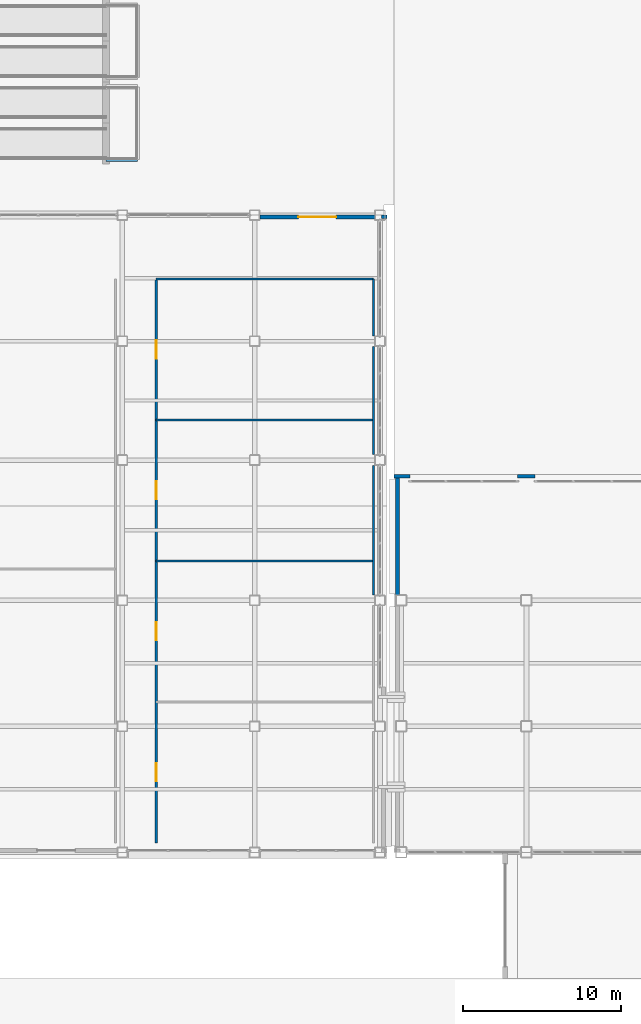
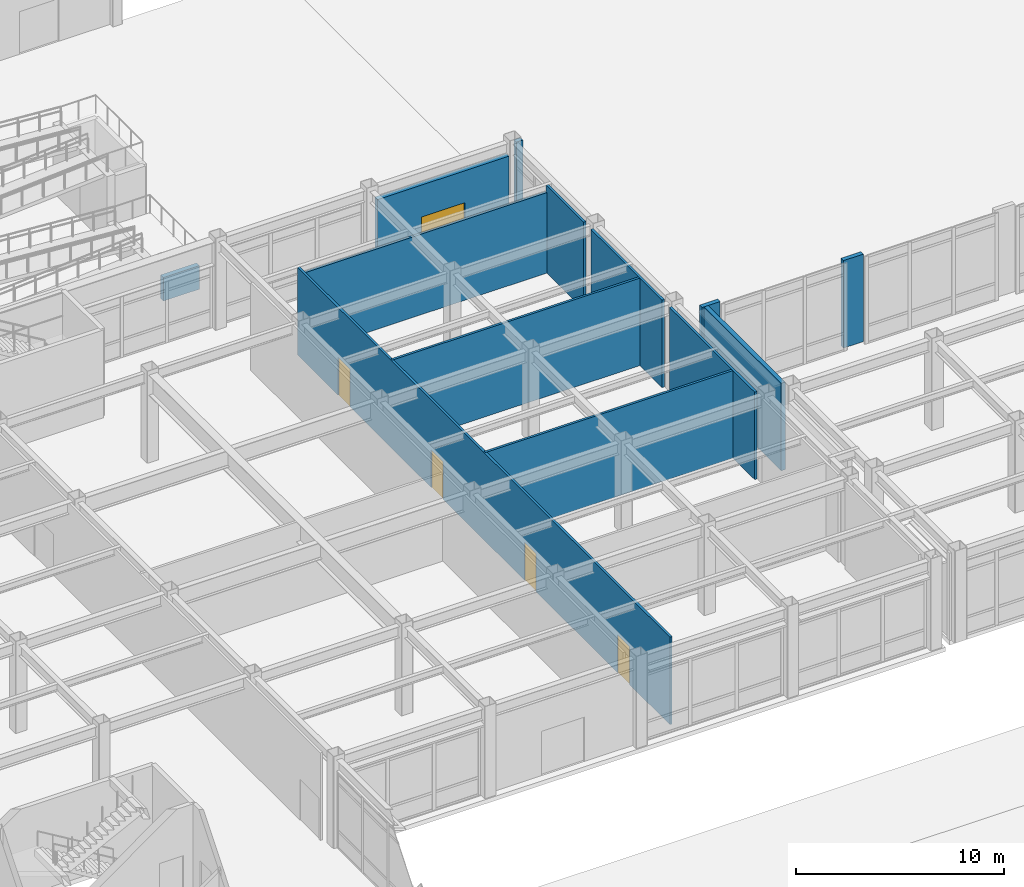
# One storey, part 129 of 165: 13 walls, 5 doors, 5 openings.
"""IFC4 building model written with IfcOpenShell, lengths in metres."""

import ifcopenshell
import ifcopenshell.guid

model = None  # the IFC model being written
_history = None  # IfcOwnerHistory: only IFC2X3 demands one
_inside = {}  # id of a spatial element -> (the spatial element, [elements in it])
_under = {}  # id of a project, library or spatial element -> (it, [spatial elements below it])
_declared = {}  # id of a project -> (the project, [libraries it declares])
_typed = {}  # id of a type object -> (the type object, [elements of that type])
_made_of = {}  # id of a material, layer set ... -> (it, [elements and type objects made of it])


def new_model(schema):
    """Start an empty IFC model of exactly this schema.

    Asked for "IFC4X3", IfcOpenShell would pick the latest addendum, in which some entities
    have other attributes; the version numbers below select the first issue.
    IFC2X3 requires an IfcOwnerHistory on every rooted entity: one is made here for all.
    """
    global model, _history
    if schema == "IFC4X3":
        model = ifcopenshell.file(schema_version=(4, 3, 0, 0))
    else:
        model = ifcopenshell.file(schema=schema)
    _inside.clear()
    _under.clear()
    _declared.clear()
    _typed.clear()
    _made_of.clear()
    _history = None
    if model.schema == "IFC2X3":
        org = make("IfcOrganization", Name="unknown")
        user = make(
            "IfcPersonAndOrganization",
            ThePerson=make("IfcPerson", FamilyName="unknown"),
            TheOrganization=org,
        )
        app = make(
            "IfcApplication",
            ApplicationDeveloper=org,
            Version="unknown",
            ApplicationFullName="unknown",
            ApplicationIdentifier="unknown",
        )
        _history = make(
            "IfcOwnerHistory",
            OwningUser=user,
            OwningApplication=app,
            ChangeAction="ADDED",
            CreationDate=0,
        )
    return model


def make(cls, **values):
    """One entity of the class cls with the attributes given. An attribute that is None is left unset."""
    return model.create_entity(
        cls, **{name: value for name, value in values.items() if value is not None}
    )


def rooted(cls, **values):
    """An entity with a GlobalId (a new one), such as an element, a storey or a relation."""
    return make(cls, GlobalId=ifcopenshell.guid.new(), OwnerHistory=_history, **values)


def si_unit(unit_type, name, prefix=None):
    """IfcSIUnit, for example si_unit("LENGTHUNIT", "METRE", prefix="MILLI")."""
    return make("IfcSIUnit", UnitType=unit_type, Prefix=prefix, Name=name)


def assignment(units):
    """IfcUnitAssignment: the units of a project."""
    return None if units is None else make("IfcUnitAssignment", Units=units)


def point(xyz):
    """IfcCartesianPoint."""
    return None if xyz is None else make("IfcCartesianPoint", Coordinates=xyz)


def direction(xyz):
    """IfcDirection."""
    return None if xyz is None else make("IfcDirection", DirectionRatios=xyz)


def frame(location, z_axis=None, x_axis=None):
    """IfcAxis2Placement3D, a coordinate frame: its origin and axes. An axis left out is left unset."""
    return make(
        "IfcAxis2Placement3D",
        Location=point(location),
        Axis=direction(z_axis),
        RefDirection=direction(x_axis),
    )


def frame_2d(location, x_axis=None):
    """IfcAxis2Placement2D, a coordinate frame in the plane: its origin and x axis."""
    return make(
        "IfcAxis2Placement2D", Location=point(location), RefDirection=direction(x_axis)
    )


def origin():
    """The frame at (0, 0, 0) with its axes left unset."""
    return frame((0.0, 0.0, 0.0))


def place(relative_to, where):
    """IfcLocalPlacement: puts the frame where relative to a parent placement (None: the world)."""
    return make(
        "IfcLocalPlacement", PlacementRelTo=relative_to, RelativePlacement=where
    )


def context(
    kind, dimensions, precision=None, world=None, true_north=None, identifier=None
):
    """IfcGeometricRepresentationContext, for example the 3D "Model" context."""
    return make(
        "IfcGeometricRepresentationContext",
        ContextIdentifier=identifier,
        ContextType=kind,
        CoordinateSpaceDimension=dimensions,
        Precision=precision,
        WorldCoordinateSystem=world,
        TrueNorth=true_north,
    )


def subcontext(parent, identifier, kind, view, scale=None):
    """IfcGeometricRepresentationSubContext, for example "Body" below "Model"."""
    return make(
        "IfcGeometricRepresentationSubContext",
        ContextIdentifier=identifier,
        ContextType=kind,
        ParentContext=parent,
        TargetScale=scale,
        TargetView=view,
    )


def project(units=None, contexts=None):
    """IfcProject with its units and contexts."""
    return rooted(
        "IfcProject",
        Name="project",
        RepresentationContexts=contexts,
        UnitsInContext=assignment(units),
    )


def spatial(cls, under=None, at=None, **own):
    """A site, building, storey or space (cls), placed at a placement, below another one or the project."""
    s = rooted(cls, ObjectPlacement=at, **own)
    if under is not None:
        _under.setdefault(under.id(), (under, []))[1].append(s)
    return s


def profile(cls, at=None, kind="AREA", **sizes):
    """A parametric profile (cls). Its sizes go by their IFC names, for example OverallWidth=200.0."""
    return make(cls, ProfileType=kind, Position=at, **sizes)


def rectangle(**sizes):
    """IfcRectangleProfileDef."""
    return profile("IfcRectangleProfileDef", **sizes)


def extrude(swept, where, along, depth):
    """IfcExtrudedAreaSolid: the profile swept, set in the frame where, extruded along a direction by depth."""
    return make(
        "IfcExtrudedAreaSolid",
        SweptArea=swept,
        Position=where,
        ExtrudedDirection=direction(along),
        Depth=depth,
    )


def shape(context_of_items, identifier, shape_type, items):
    """IfcShapeRepresentation: the items that make up one representation, for example the "Body"."""
    return make(
        "IfcShapeRepresentation",
        ContextOfItems=context_of_items,
        RepresentationIdentifier=identifier,
        RepresentationType=shape_type,
        Items=items,
    )


def material(Name=None, Category=None):
    """IfcMaterial."""
    return make("IfcMaterial", Name=Name, Category=Category)


def layer(
    of_material, thickness, ventilated=None, Name=None, Category=None, Priority=None
):
    """IfcMaterialLayer: one layer of a wall or slab, of a material (None: an air gap)."""
    return make(
        "IfcMaterialLayer",
        Material=of_material,
        LayerThickness=thickness,
        IsVentilated=ventilated,
        Name=Name,
        Category=Category,
        Priority=Priority,
    )


def layer_set(layers, Name=None):
    """IfcMaterialLayerSet."""
    return make("IfcMaterialLayerSet", MaterialLayers=layers, LayerSetName=Name)


def made_of(thing, what):
    """Note that an element or type object is made of a material, layer set ...; save() writes the relation."""
    if what is not None:
        _made_of.setdefault(what.id(), (what, []))[1].append(thing)
    return thing


def type_object(cls, material=None, **own):
    """A type object (cls), such as IfcWallType, which elements share."""
    return made_of(rooted(cls, **own), material)


def element(
    cls,
    number,
    at=None,
    inside=None,
    cuts=None,
    type_object=None,
    material=None,
    context=None,
    identifier="Body",
    shape_type=None,
    held_by="IfcProductDefinitionShape",
    body=None,
    shapes=None,
    **own,
):
    """One element of the class cls, such as IfcWall. Its Tag is "e" and its number.

    at: its placement. inside: the storey or other place that contains it. cuts: it is an
    opening in that element (IfcRelVoidsElement). A single representation is given by context,
    identifier, shape_type and body (its items); several are given by shapes. held_by: the class
    of the entity that holds the representations. save() writes the other relations.
    """
    e = rooted(cls, Tag="e%d" % number, ObjectPlacement=at, **own)
    if body is not None:
        shapes = [shape(context, identifier, shape_type, body)]
    if shapes is not None:
        e.Representation = make(held_by, Representations=shapes)
    if inside is not None:
        _inside.setdefault(inside.id(), (inside, []))[1].append(e)
    if cuts is not None:
        rooted(
            "IfcRelVoidsElement", RelatingBuildingElement=cuts, RelatedOpeningElement=e
        )
    if type_object is not None:
        _typed.setdefault(type_object.id(), (type_object, []))[1].append(e)
    return made_of(e, material)


def fill(opening, filler):
    """IfcRelFillsElement: the door or window that sits in an opening."""
    return rooted(
        "IfcRelFillsElement",
        RelatingOpeningElement=opening,
        RelatedBuildingElement=filler,
    )


def aggregate(whole, parts):
    """IfcRelAggregates: a whole, such as a stair, and the parts it consists of."""
    return rooted("IfcRelAggregates", RelatingObject=whole, RelatedObjects=parts)


def save(model, path):
    """Write the relations noted so far, then the file.

    IfcRelAggregates (storeys below a building ...), IfcRelContainedInSpatialStructure (elements
    in a storey), IfcRelDefinesByType, IfcRelAssociatesMaterial and IfcRelDeclares: one each for
    every whole, place, type object, material and project.
    """
    for whole, parts in _under.values():
        aggregate(whole, parts)
    for where, things in _inside.values():
        rooted(
            "IfcRelContainedInSpatialStructure",
            RelatedElements=things,
            RelatingStructure=where,
        )
    for kind, things in _typed.values():
        rooted("IfcRelDefinesByType", RelatedObjects=things, RelatingType=kind)
    for what, things in _made_of.values():
        rooted("IfcRelAssociatesMaterial", RelatedObjects=things, RelatingMaterial=what)
    for by, libraries in _declared.values():
        rooted("IfcRelDeclares", RelatingContext=by, RelatedDefinitions=libraries)
    model.write(path)


model = new_model("IFC4")

# Units and contexts
model_context = context("Model", 3, precision=1e-05, world=origin(), true_north=direction((0.0, 1.0)))
body_context = subcontext(model_context, "Body", "Model", "MODEL_VIEW")
ifc_project = project(units=[si_unit("LENGTHUNIT", "METRE"), si_unit("AREAUNIT", "SQUARE_METRE"), si_unit("VOLUMEUNIT", "CUBIC_METRE"), si_unit("PLANEANGLEUNIT", "RADIAN"), si_unit("MASSUNIT", "GRAM", prefix="KILO")], contexts=[model_context])

# Site, building, storey
site_placement = place(None, origin())
site = spatial("IfcSite", under=ifc_project, at=site_placement, CompositionType="ELEMENT")
building_placement = place(site_placement, origin())
building = spatial("IfcBuilding", under=site, at=building_placement, Name="Kazehara Bluff Congress Hotel", CompositionType="ELEMENT")
storey_placement = place(building_placement, origin())
storey = spatial("IfcBuildingStorey", under=building, at=storey_placement, Name="L00", CompositionType="ELEMENT", Elevation=0.0)

# Walls
ifc_material_1 = material(Name="Precast concrete C40/50", Category="concrete")
ifc_layer_1 = layer(ifc_material_1, 0.239990234375)
ifc_layer_set_1 = layer_set([ifc_layer_1], Name="Precast concrete C40/50")
wall_type_1 = type_object("IfcWallType", Name="TP-EW-240", PredefinedType="SOLIDWALL", material=ifc_layer_set_1)
wall_1_placement = place(storey_placement, frame((109.2900390625, 56.35009765625, 0.0), z_axis=(0.0, 0.0, 1.0), x_axis=(1.0, 0.0, 0.0)))
element("IfcWall", 1, at=wall_1_placement, inside=storey, type_object=wall_type_1, Name="L00 V4 perimeter spandrel pier 533", PredefinedType="SOLIDWALL", context=body_context, shape_type="SweptSolid", body=[
    extrude(rectangle(XDim=0.35986328125, YDim=0.239990234375, at=frame_2d((0.179931640625, 0.0))), origin(), (0.0, 0.0, 1.0), 5.135009765625),
])
wall_2_placement = place(storey_placement, frame((110.10009765625, 39.8798828125, 0.0), z_axis=(0.0, 0.0, 1.0), x_axis=(1.0, 0.0, 0.0)))
element("IfcWall", 2, at=wall_2_placement, inside=storey, type_object=wall_type_1, Name="L00 V5 perimeter spandrel pier 550", PredefinedType="SOLIDWALL", context=body_context, shape_type="SweptSolid", body=[
    extrude(rectangle(XDim=1.0, YDim=0.239990234375, at=frame_2d((0.5, 0.0))), origin(), (0.0, 0.0, 1.0), 5.135009765625),
])
wall_3_placement = place(storey_placement, frame((117.949951171875, 39.8798828125, 0.0), z_axis=(0.0, 0.0, 1.0), x_axis=(1.0, 0.0, 0.0)))
element("IfcWall", 3, at=wall_3_placement, inside=storey, type_object=wall_type_1, Name="L00 V5 perimeter spandrel pier 551", PredefinedType="SOLIDWALL", context=body_context, shape_type="SweptSolid", body=[
    extrude(rectangle(XDim=1.10009765625, YDim=0.239990234375, at=frame_2d((0.550048828125, 0.0))), origin(), (0.0, 0.0, 1.0), 5.135009765625),
])
wall_4_placement = place(storey_placement, frame((110.320068359375, 32.35009765625, 0.0), z_axis=(0.0, 0.0, 1.0), x_axis=(0.0, 1.0, 0.0)))
element("IfcWall", 4, at=wall_4_placement, inside=storey, type_object=wall_type_1, Name="L00 V5 perimeter spandrel pier 556", PredefinedType="SOLIDWALL", context=body_context, shape_type="SweptSolid", body=[
    extrude(rectangle(XDim=7.39990234375, YDim=0.239990234375, at=frame_2d((3.699951171875, 0.0))), origin(), (0.0, 0.0, 1.0), 5.135009765625),
])

# Wall, opening, door
ifc_material_2 = material(Name="Precast concrete C40/50", Category="concrete")
ifc_layer_2 = layer(ifc_material_2, 0.260009765625)
ifc_layer_set_2 = layer_set([ifc_layer_2], Name="Precast concrete C40/50")
wall_type_2 = type_object("IfcWallType", Name="TP-EW-260", PredefinedType="SOLIDWALL", material=ifc_layer_set_2)
wall_5_placement = place(storey_placement, frame((101.574951171875, 56.330078125, 0.0), z_axis=(0.0, 0.0, 1.0), x_axis=(1.0, 0.0, 0.0)))
wall_5 = element("IfcWall", 5, at=wall_5_placement, inside=storey, type_object=wall_type_2, Name="L00 exit host wall EX-V4N", PredefinedType="SOLIDWALL", context=body_context, shape_type="SweptSolid", body=[
    extrude(rectangle(XDim=7.300048828125, YDim=0.260009765625, at=frame_2d((3.64990234375, 0.0))), origin(), (0.0, 0.0, 1.0), 4.47509765625),
])
opening_1_placement = place(wall_5_placement, frame((2.449951171875, 0.0, 0.0)))
opening_1 = element("IfcOpeningElement", 6, at=opening_1_placement, cuts=wall_5, Name="Opening ED-04", PredefinedType="OPENING", context=body_context, shape_type="SweptSolid", body=[
    extrude(rectangle(XDim=2.39990234375, YDim=2.60009765625, at=frame_2d((1.199951171875, 1.300048828125))), frame((0.0, 0.139892578125, 0.0), z_axis=(0.0, -1.0, 0.0), x_axis=(1.0, 0.0, 0.0)), (0.0, 0.0, 1.0), 0.280029296875),
])
ifc_material_3 = material(Name="Anodised aluminium", Category="aluminium")
door_type_1 = type_object("IfcDoorType", Name="TP-ED-04", OperationType="DOUBLE_DOOR_SINGLE_SWING", PredefinedType="DOOR", material=ifc_material_3)
door_1_placement = place(opening_1_placement, origin())
door_1 = element("IfcDoor", 7, at=door_1_placement, inside=storey, type_object=door_type_1, Name="Concourse courtyard north exit door", OperationType="DOUBLE_DOOR_SINGLE_SWING", OverallHeight=2.60009765625, OverallWidth=2.39990234375, PredefinedType="DOOR", context=body_context, shape_type="SweptSolid", body=[
    extrude(rectangle(XDim=2.39990234375, YDim=2.60009765625, at=frame_2d((1.199951171875, 1.300048828125))), frame((0.0, 0.02490234375, 0.0), z_axis=(0.0, -1.0, 0.0), x_axis=(1.0, 0.0, 0.0)), (0.0, 0.0, 1.0), 0.050048828125),
])
fill(opening_1, door_1)

# Walls
ifc_material_4 = material(Name="Fire-rated gypsum board stud partition")
ifc_layer_3 = layer(ifc_material_4, 0.1298828125)
ifc_layer_set_3 = layer_set([ifc_layer_3], Name="Fire-rated gypsum board stud partition")
wall_type_3 = type_object("IfcWallType", Name="TP-PT-130", PredefinedType="PARTITIONING", material=ifc_layer_set_3)
for number, where, z_axis, x_axis, name in (
    (8, (95.0, 34.5, 0.0), (0.0, 0.0, 1.0), (1.0, 0.0, 0.0), "L00 partition PT-130 72"),
    (9, (95.0, 43.449951171875, 0.0), (0.0, 0.0, 1.0), (1.0, 0.0, 0.0), "L00 partition PT-130 77"),
):
    element("IfcWall", number, at=place(storey_placement, frame(where, z_axis=z_axis, x_axis=x_axis)), inside=storey, type_object=wall_type_3, Name=name, PredefinedType="PARTITIONING", context=body_context, shape_type="SweptSolid", body=[
        extrude(rectangle(XDim=13.800048828125, YDim=0.1298828125, at=frame_2d((6.89990234375, 0.0))), origin(), (0.0, 0.0, 1.0), 5.135009765625),
    ])
wall_6_placement = place(storey_placement, frame((95.0, 52.39990234375, 0.0), z_axis=(0.0, 0.0, 1.0), x_axis=(1.0, 0.0, 0.0)))
element("IfcWall", 10, at=wall_6_placement, inside=storey, type_object=wall_type_3, Name="L00 partition PT-130 80", PredefinedType="PARTITIONING", context=body_context, shape_type="SweptSolid", body=[
    extrude(rectangle(XDim=13.800048828125, YDim=0.1298828125, at=frame_2d((6.89990234375, 0.0))), origin(), (0.0, 0.0, 1.0), 4.72509765625),
])

# Wall, openings, doors
wall_7_placement = place(storey_placement, frame((95.0, 16.60009765625, 0.0), z_axis=(0.0, 0.0, 1.0), x_axis=(0.0, 1.0, 0.0)))
wall_7 = element("IfcWall", 11, at=wall_7_placement, inside=storey, type_object=wall_type_3, Name="L00 partition PT-130 117", PredefinedType="PARTITIONING", context=body_context, shape_type="SweptSolid", body=[
    extrude(rectangle(XDim=35.7998046875, YDim=0.1298828125, at=frame_2d((17.89990234375, 0.0))), origin(), (0.0, 0.0, 1.0), 5.135009765625),
])
opening_2_placement = place(wall_7_placement, frame((3.89990234375, 0.0, 0.0)))
opening_2 = element("IfcOpeningElement", 12, at=opening_2_placement, cuts=wall_7, Name="Opening ID-04", PredefinedType="OPENING", context=body_context, shape_type="SweptSolid", body=[
    extrude(rectangle(XDim=1.14990234375, YDim=2.219970703125, at=frame_2d((0.574951171875, 1.10986328125))), frame((0.0, 0.074951171875, 0.0), z_axis=(0.0, -1.0, 0.0), x_axis=(1.0, 0.0, 0.0)), (0.0, 0.0, 1.0), 0.14990234375),
])
opening_3_placement = place(wall_7_placement, frame((12.85009765625, 0.0, 0.0)))
opening_3 = element("IfcOpeningElement", 13, at=opening_3_placement, cuts=wall_7, Name="Opening ID-04", PredefinedType="OPENING", context=body_context, shape_type="SweptSolid", body=[
    extrude(rectangle(XDim=1.14990234375, YDim=2.219970703125, at=frame_2d((0.574951171875, 1.10986328125))), frame((0.0, 0.074951171875, 0.0), z_axis=(0.0, -1.0, 0.0), x_axis=(1.0, 0.0, 0.0)), (0.0, 0.0, 1.0), 0.14990234375),
])
opening_4_placement = place(wall_7_placement, frame((21.800048828125, 0.0, 0.0)))
opening_4 = element("IfcOpeningElement", 14, at=opening_4_placement, cuts=wall_7, Name="Opening ID-04", PredefinedType="OPENING", context=body_context, shape_type="SweptSolid", body=[
    extrude(rectangle(XDim=1.14990234375, YDim=2.219970703125, at=frame_2d((0.574951171875, 1.10986328125))), frame((0.0, 0.074951171875, 0.0), z_axis=(0.0, -1.0, 0.0), x_axis=(1.0, 0.0, 0.0)), (0.0, 0.0, 1.0), 0.14990234375),
])
opening_5_placement = place(wall_7_placement, frame((30.75, 0.0, 0.0)))
opening_5 = element("IfcOpeningElement", 15, at=opening_5_placement, cuts=wall_7, Name="Opening ID-04", PredefinedType="OPENING", context=body_context, shape_type="SweptSolid", body=[
    extrude(rectangle(XDim=1.14990234375, YDim=2.219970703125, at=frame_2d((0.574951171875, 1.10986328125))), frame((0.0, 0.074951171875, 0.0), z_axis=(0.0, -1.0, 0.0), x_axis=(1.0, 0.0, 0.0)), (0.0, 0.0, 1.0), 0.14990234375),
])
ifc_material_5 = material(Name="Architectural oak veneer leaf")
door_type_2 = type_object("IfcDoorType", Name="TP-ID-04", OperationType="NOTDEFINED", PredefinedType="DOOR", material=ifc_material_5)
door_2_placement = place(opening_2_placement, origin())
door_2 = element("IfcDoor", 16, at=door_2_placement, inside=storey, type_object=door_type_2, Name="L00 Meeting Room L00-1 door", OperationType="SINGLE_SWING_LEFT", OverallHeight=2.219970703125, OverallWidth=1.14990234375, PredefinedType="DOOR", context=body_context, shape_type="SweptSolid", body=[
    extrude(rectangle(XDim=1.14990234375, YDim=2.219970703125, at=frame_2d((0.574951171875, 1.10986328125))), frame((0.0, 0.02490234375, 0.0), z_axis=(0.0, -1.0, 0.0), x_axis=(1.0, 0.0, 0.0)), (0.0, 0.0, 1.0), 0.050048828125),
])
fill(opening_2, door_2)
door_3_placement = place(opening_3_placement, origin())
door_3 = element("IfcDoor", 17, at=door_3_placement, inside=storey, type_object=door_type_2, Name="L00 Meeting Room L00-2 door", OperationType="SINGLE_SWING_RIGHT", OverallHeight=2.219970703125, OverallWidth=1.14990234375, PredefinedType="DOOR", context=body_context, shape_type="SweptSolid", body=[
    extrude(rectangle(XDim=1.14990234375, YDim=2.219970703125, at=frame_2d((0.574951171875, 1.10986328125))), frame((0.0, 0.02490234375, 0.0), z_axis=(0.0, -1.0, 0.0), x_axis=(1.0, 0.0, 0.0)), (0.0, 0.0, 1.0), 0.050048828125),
])
fill(opening_3, door_3)
door_4_placement = place(opening_4_placement, origin())
door_4 = element("IfcDoor", 18, at=door_4_placement, inside=storey, type_object=door_type_2, Name="L00 Meeting Room L00-3 door", OperationType="SINGLE_SWING_LEFT", OverallHeight=2.219970703125, OverallWidth=1.14990234375, PredefinedType="DOOR", context=body_context, shape_type="SweptSolid", body=[
    extrude(rectangle(XDim=1.14990234375, YDim=2.219970703125, at=frame_2d((0.574951171875, 1.10986328125))), frame((0.0, 0.02490234375, 0.0), z_axis=(0.0, -1.0, 0.0), x_axis=(1.0, 0.0, 0.0)), (0.0, 0.0, 1.0), 0.050048828125),
])
fill(opening_4, door_4)
door_5_placement = place(opening_5_placement, origin())
door_5 = element("IfcDoor", 19, at=door_5_placement, inside=storey, type_object=door_type_2, Name="L00 Meeting Room L00-4 door", OperationType="SINGLE_SWING_RIGHT", OverallHeight=2.219970703125, OverallWidth=1.14990234375, PredefinedType="DOOR", context=body_context, shape_type="SweptSolid", body=[
    extrude(rectangle(XDim=1.14990234375, YDim=2.219970703125, at=frame_2d((0.574951171875, 1.10986328125))), frame((0.0, 0.02490234375, 0.0), z_axis=(0.0, -1.0, 0.0), x_axis=(1.0, 0.0, 0.0)), (0.0, 0.0, 1.0), 0.050048828125),
])
fill(opening_5, door_5)

# Walls
wall_8_placement = place(storey_placement, frame((108.800048828125, 32.344970703125, 0.0), z_axis=(0.0, 0.0, 1.0), x_axis=(0.0, 1.0, 0.0)))
element("IfcWall", 20, at=wall_8_placement, inside=storey, type_object=wall_type_3, Name="L00 partition PT-130 122", PredefinedType="PARTITIONING", context=body_context, shape_type="SweptSolid", body=[
    extrude(rectangle(XDim=8.2099609375, YDim=0.1298828125, at=frame_2d((4.10498046875, 0.0))), origin(), (0.0, 0.0, 1.0), 5.135009765625),
])
wall_9_placement = place(storey_placement, frame((108.800048828125, 41.2451171875, 0.0), z_axis=(0.0, 0.0, 1.0), x_axis=(0.0, 1.0, 0.0)))
element("IfcWall", 21, at=wall_9_placement, inside=storey, type_object=wall_type_3, Name="L00 partition PT-130 123", PredefinedType="PARTITIONING", context=body_context, shape_type="SweptSolid", body=[
    extrude(rectangle(XDim=6.85986328125, YDim=0.1298828125, at=frame_2d((3.429931640625, 0.0))), origin(), (0.0, 0.0, 1.0), 5.135009765625),
])
wall_10_placement = place(storey_placement, frame((108.800048828125, 48.794921875, 0.0), z_axis=(0.0, 0.0, 1.0), x_axis=(0.0, 1.0, 0.0)))
element("IfcWall", 22, at=wall_10_placement, inside=storey, type_object=wall_type_3, Name="L00 partition PT-130 124", PredefinedType="PARTITIONING", context=body_context, shape_type="SweptSolid", body=[
    extrude(rectangle(XDim=3.60498046875, YDim=0.1298828125, at=frame_2d((1.802490234375, 0.0))), origin(), (0.0, 0.0, 1.0), 5.135009765625),
])
ifc_material_6 = material(Name="Concrete C40/50", Category="concrete")
ifc_layer_4 = layer(ifc_material_6, 0.27001953125)
ifc_layer_set_4 = layer_set([ifc_layer_4], Name="Concrete C40/50")
wall_type_4 = type_object("IfcWallType", Name="TP-RW-RML", PredefinedType="SHEAR", material=ifc_layer_set_4)
wall_11_placement = place(storey_placement, frame((91.800048828125, 60.0, -0.280029296875), z_axis=(0.0, 0.0, 1.0), x_axis=(1.0, 0.0, 0.0)))
element("IfcWall", 23, at=wall_11_placement, inside=storey, type_object=wall_type_4, Name="Accessible bluff garden ramp R2 landing wall 5", PredefinedType="SHEAR", context=body_context, shape_type="SweptSolid", body=[
    extrude(rectangle(XDim=2.0, YDim=0.27001953125, at=frame_2d((1.0, 0.0))), origin(), (0.0, 0.0, 1.0), 1.380126953125),
])

save(model, "model.ifc")
